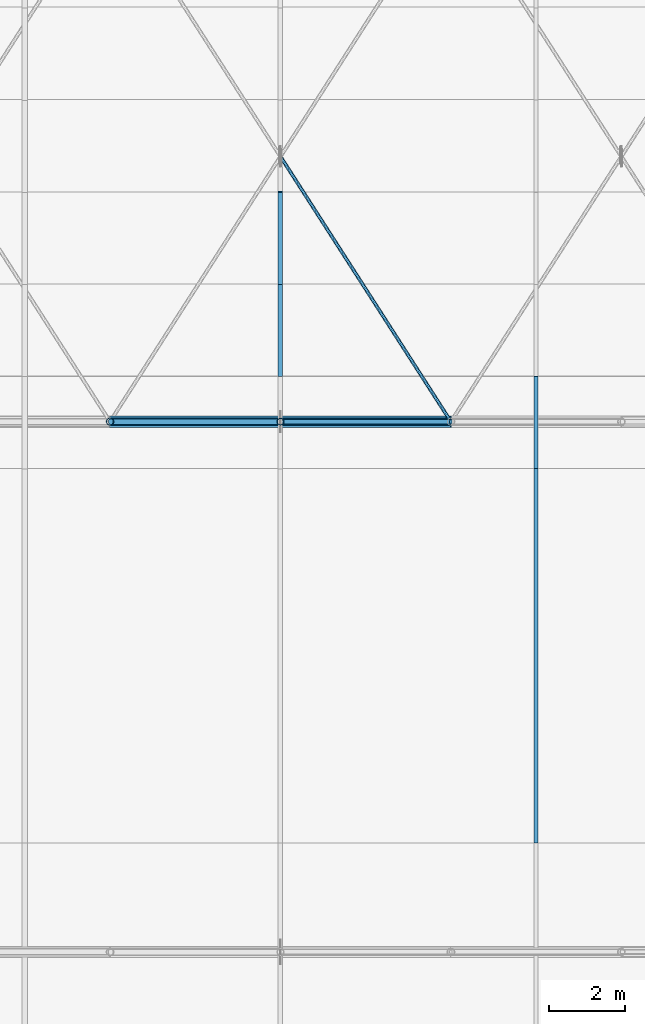
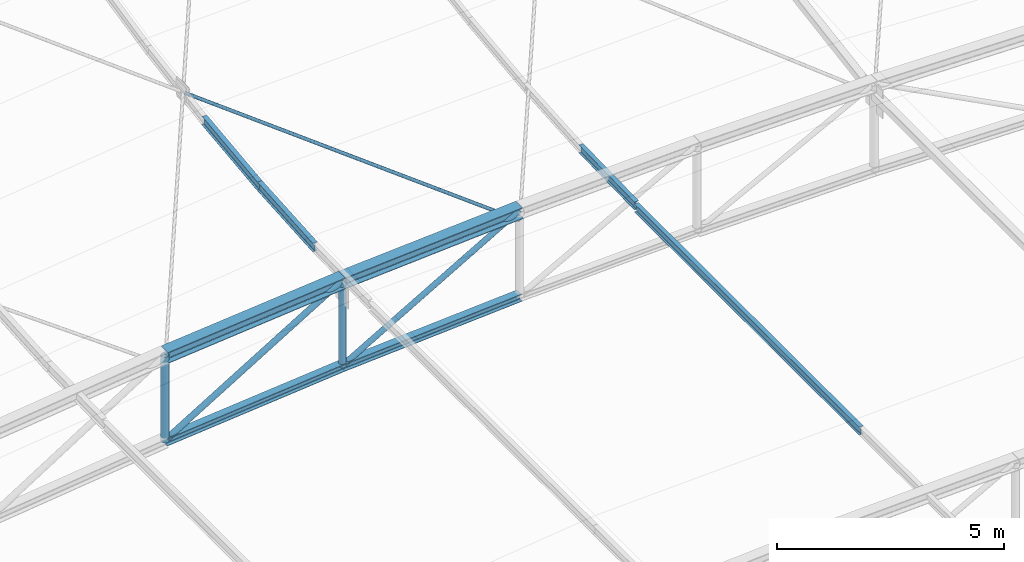
# One storey, part 173 of 262: 13 members.
"""IFC4 building model written with IfcOpenShell, lengths in metres."""

import ifcopenshell
import ifcopenshell.guid

model = None  # the IFC model being written
_history = None  # IfcOwnerHistory: only IFC2X3 demands one
_inside = {}  # id of a spatial element -> (the spatial element, [elements in it])
_under = {}  # id of a project, library or spatial element -> (it, [spatial elements below it])
_declared = {}  # id of a project -> (the project, [libraries it declares])
_typed = {}  # id of a type object -> (the type object, [elements of that type])
_made_of = {}  # id of a material, layer set ... -> (it, [elements and type objects made of it])


def new_model(schema):
    """Start an empty IFC model of exactly this schema.

    Asked for "IFC4X3", IfcOpenShell would pick the latest addendum, in which some entities
    have other attributes; the version numbers below select the first issue.
    IFC2X3 requires an IfcOwnerHistory on every rooted entity: one is made here for all.
    """
    global model, _history
    if schema == "IFC4X3":
        model = ifcopenshell.file(schema_version=(4, 3, 0, 0))
    else:
        model = ifcopenshell.file(schema=schema)
    _inside.clear()
    _under.clear()
    _declared.clear()
    _typed.clear()
    _made_of.clear()
    _history = None
    if model.schema == "IFC2X3":
        org = make("IfcOrganization", Name="unknown")
        user = make(
            "IfcPersonAndOrganization",
            ThePerson=make("IfcPerson", FamilyName="unknown"),
            TheOrganization=org,
        )
        app = make(
            "IfcApplication",
            ApplicationDeveloper=org,
            Version="unknown",
            ApplicationFullName="unknown",
            ApplicationIdentifier="unknown",
        )
        _history = make(
            "IfcOwnerHistory",
            OwningUser=user,
            OwningApplication=app,
            ChangeAction="ADDED",
            CreationDate=0,
        )
    return model


def make(cls, **values):
    """One entity of the class cls with the attributes given. An attribute that is None is left unset."""
    return model.create_entity(
        cls, **{name: value for name, value in values.items() if value is not None}
    )


def rooted(cls, **values):
    """An entity with a GlobalId (a new one), such as an element, a storey or a relation."""
    return make(cls, GlobalId=ifcopenshell.guid.new(), OwnerHistory=_history, **values)


def si_unit(unit_type, name, prefix=None):
    """IfcSIUnit, for example si_unit("LENGTHUNIT", "METRE", prefix="MILLI")."""
    return make("IfcSIUnit", UnitType=unit_type, Prefix=prefix, Name=name)


def derived_unit(unit_type, elements):
    """IfcDerivedUnit: a product of units, each with its exponent."""
    return make(
        "IfcDerivedUnit",
        Elements=[
            make("IfcDerivedUnitElement", Unit=unit, Exponent=power)
            for unit, power in elements
        ],
        UnitType=unit_type,
    )


def assignment(units):
    """IfcUnitAssignment: the units of a project."""
    return None if units is None else make("IfcUnitAssignment", Units=units)


def point(xyz):
    """IfcCartesianPoint."""
    return None if xyz is None else make("IfcCartesianPoint", Coordinates=xyz)


def direction(xyz):
    """IfcDirection."""
    return None if xyz is None else make("IfcDirection", DirectionRatios=xyz)


def frame(location, z_axis=None, x_axis=None):
    """IfcAxis2Placement3D, a coordinate frame: its origin and axes. An axis left out is left unset."""
    return make(
        "IfcAxis2Placement3D",
        Location=point(location),
        Axis=direction(z_axis),
        RefDirection=direction(x_axis),
    )


def frame_2d(location, x_axis=None):
    """IfcAxis2Placement2D, a coordinate frame in the plane: its origin and x axis."""
    return make(
        "IfcAxis2Placement2D", Location=point(location), RefDirection=direction(x_axis)
    )


def origin():
    """The frame at (0, 0, 0) with its axes left unset."""
    return frame((0.0, 0.0, 0.0))


def origin_2d():
    """The frame at (0, 0) in the plane with its x axis left unset."""
    return frame_2d((0.0, 0.0))


def place(relative_to, where):
    """IfcLocalPlacement: puts the frame where relative to a parent placement (None: the world)."""
    return make(
        "IfcLocalPlacement", PlacementRelTo=relative_to, RelativePlacement=where
    )


def context(
    kind, dimensions, precision=None, world=None, true_north=None, identifier=None
):
    """IfcGeometricRepresentationContext, for example the 3D "Model" context."""
    return make(
        "IfcGeometricRepresentationContext",
        ContextIdentifier=identifier,
        ContextType=kind,
        CoordinateSpaceDimension=dimensions,
        Precision=precision,
        WorldCoordinateSystem=world,
        TrueNorth=true_north,
    )


def subcontext(parent, identifier, kind, view, scale=None):
    """IfcGeometricRepresentationSubContext, for example "Body" below "Model"."""
    return make(
        "IfcGeometricRepresentationSubContext",
        ContextIdentifier=identifier,
        ContextType=kind,
        ParentContext=parent,
        TargetScale=scale,
        TargetView=view,
    )


def project(units=None, contexts=None):
    """IfcProject with its units and contexts."""
    return rooted(
        "IfcProject",
        Name="project",
        RepresentationContexts=contexts,
        UnitsInContext=assignment(units),
    )


def spatial(cls, under=None, at=None, **own):
    """A site, building, storey or space (cls), placed at a placement, below another one or the project."""
    s = rooted(cls, ObjectPlacement=at, **own)
    if under is not None:
        _under.setdefault(under.id(), (under, []))[1].append(s)
    return s


def profile(cls, at=None, kind="AREA", **sizes):
    """A parametric profile (cls). Its sizes go by their IFC names, for example OverallWidth=200.0."""
    return make(cls, ProfileType=kind, Position=at, **sizes)


def hollow_circle(**sizes):
    """IfcCircleHollowProfileDef."""
    return profile("IfcCircleHollowProfileDef", **sizes)


def i_section(**sizes):
    """IfcIShapeProfileDef."""
    return profile("IfcIShapeProfileDef", **sizes)


def extrude(swept, where, along, depth):
    """IfcExtrudedAreaSolid: the profile swept, set in the frame where, extruded along a direction by depth."""
    return make(
        "IfcExtrudedAreaSolid",
        SweptArea=swept,
        Position=where,
        ExtrudedDirection=direction(along),
        Depth=depth,
    )


def shape(context_of_items, identifier, shape_type, items):
    """IfcShapeRepresentation: the items that make up one representation, for example the "Body"."""
    return make(
        "IfcShapeRepresentation",
        ContextOfItems=context_of_items,
        RepresentationIdentifier=identifier,
        RepresentationType=shape_type,
        Items=items,
    )


def material(Name=None, Category=None):
    """IfcMaterial."""
    return make("IfcMaterial", Name=Name, Category=Category)


def material_profile(
    of_material, cross_section, Name=None, Category=None, Priority=None
):
    """IfcMaterialProfile: a cross section and its material."""
    return make(
        "IfcMaterialProfile",
        Name=Name,
        Material=of_material,
        Profile=cross_section,
        Priority=Priority,
        Category=Category,
    )


def profile_set(profiles, Name=None, composite=None):
    """IfcMaterialProfileSet."""
    return make(
        "IfcMaterialProfileSet",
        Name=Name,
        MaterialProfiles=profiles,
        CompositeProfile=composite,
    )


def made_of(thing, what):
    """Note that an element or type object is made of a material, layer set ...; save() writes the relation."""
    if what is not None:
        _made_of.setdefault(what.id(), (what, []))[1].append(thing)
    return thing


def type_object(cls, material=None, **own):
    """A type object (cls), such as IfcWallType, which elements share."""
    return made_of(rooted(cls, **own), material)


def element(
    cls,
    number,
    at=None,
    inside=None,
    cuts=None,
    type_object=None,
    material=None,
    context=None,
    identifier="Body",
    shape_type=None,
    held_by="IfcProductDefinitionShape",
    body=None,
    shapes=None,
    **own,
):
    """One element of the class cls, such as IfcWall. Its Tag is "e" and its number.

    at: its placement. inside: the storey or other place that contains it. cuts: it is an
    opening in that element (IfcRelVoidsElement). A single representation is given by context,
    identifier, shape_type and body (its items); several are given by shapes. held_by: the class
    of the entity that holds the representations. save() writes the other relations.
    """
    e = rooted(cls, Tag="e%d" % number, ObjectPlacement=at, **own)
    if body is not None:
        shapes = [shape(context, identifier, shape_type, body)]
    if shapes is not None:
        e.Representation = make(held_by, Representations=shapes)
    if inside is not None:
        _inside.setdefault(inside.id(), (inside, []))[1].append(e)
    if cuts is not None:
        rooted(
            "IfcRelVoidsElement", RelatingBuildingElement=cuts, RelatedOpeningElement=e
        )
    if type_object is not None:
        _typed.setdefault(type_object.id(), (type_object, []))[1].append(e)
    return made_of(e, material)


def aggregate(whole, parts):
    """IfcRelAggregates: a whole, such as a stair, and the parts it consists of."""
    return rooted("IfcRelAggregates", RelatingObject=whole, RelatedObjects=parts)


def save(model, path):
    """Write the relations noted so far, then the file.

    IfcRelAggregates (storeys below a building ...), IfcRelContainedInSpatialStructure (elements
    in a storey), IfcRelDefinesByType, IfcRelAssociatesMaterial and IfcRelDeclares: one each for
    every whole, place, type object, material and project.
    """
    for whole, parts in _under.values():
        aggregate(whole, parts)
    for where, things in _inside.values():
        rooted(
            "IfcRelContainedInSpatialStructure",
            RelatedElements=things,
            RelatingStructure=where,
        )
    for kind, things in _typed.values():
        rooted("IfcRelDefinesByType", RelatedObjects=things, RelatingType=kind)
    for what, things in _made_of.values():
        rooted("IfcRelAssociatesMaterial", RelatedObjects=things, RelatingMaterial=what)
    for by, libraries in _declared.values():
        rooted("IfcRelDeclares", RelatingContext=by, RelatedDefinitions=libraries)
    model.write(path)


model = new_model("IFC4")

# Units and contexts
model_context = context("Model", 3, precision=1e-05, world=origin(), true_north=direction((0.0, 1.0)))
body_context = subcontext(model_context, "Body", "Model", "MODEL_VIEW")
ifc_project = project(units=[si_unit("LENGTHUNIT", "METRE"), si_unit("AREAUNIT", "SQUARE_METRE"), si_unit("VOLUMEUNIT", "CUBIC_METRE"), si_unit("PLANEANGLEUNIT", "RADIAN"), si_unit("MASSUNIT", "GRAM", prefix="KILO"), derived_unit("THERMALTRANSMITTANCEUNIT", [(si_unit("POWERUNIT", "WATT"), 1), (si_unit("LENGTHUNIT", "METRE"), -2), (si_unit("THERMODYNAMICTEMPERATUREUNIT", "KELVIN"), -1)])], contexts=[model_context])

# Site, building, storey
site_placement = place(None, origin())
site = spatial("IfcSite", under=ifc_project, at=site_placement, CompositionType="ELEMENT")
building_placement = place(site_placement, origin())
building = spatial("IfcBuilding", under=site, at=building_placement, Name="Almenara Railside Exhibition Hall", CompositionType="ELEMENT")
storey_placement = place(building_placement, frame((0.0, 0.0, 21.699951171875)))
storey = spatial("IfcBuildingStorey", under=building, at=storey_placement, Name="RF", CompositionType="ELEMENT", Elevation=21.699951171875)

# Members
ifc_material = material(Name="Structural steel S355JR", Category="steel")
ifc_material_profile_1 = material_profile(ifc_material, i_section(OverallWidth=0.300048828125, OverallDepth=0.300048828125, WebThickness=0.010986328125, FlangeThickness=0.01904296875, FilletRadius=0.027099609375, at=origin_2d()), Name="HEB 300")
ifc_profile_set_1 = profile_set([ifc_material_profile_1], Name="Structural steel S355JR")
member_type_1 = type_object("IfcMemberType", Name="Arched Inner Top Chord HEB 300 S355JR", PredefinedType="CHORD", material=ifc_profile_set_1)
member_1_placement = place(storey_placement, frame((147.0, 104.0, -6.06298828125), z_axis=(0.995512933083, 0.0, 0.094625578275), x_axis=(0.0, 1.0, 0.0)))
element("IfcMember", 1, at=member_1_placement, inside=storey, type_object=member_type_1, Name="MEM-TC-V2-05-02", PredefinedType="CHORD", context=body_context, shape_type="SweptSolid", body=[
    extrude(i_section(OverallWidth=0.300048828125, OverallDepth=0.300048828125, WebThickness=0.010986328125, FlangeThickness=0.01904296875, FilletRadius=0.027099609375, at=origin_2d()), origin(), (0.0, 0.0, 1.0), 4.520263671875),
])
member_2_placement = place(storey_placement, frame((151.5, 104.0, -5.63525390625), z_axis=(0.997701025897, 0.0, 0.067769188608), x_axis=(0.0, 1.0, 0.0)))
element("IfcMember", 2, at=member_2_placement, inside=storey, type_object=member_type_1, Name="MEM-TC-V2-05-03", PredefinedType="CHORD", context=body_context, shape_type="SweptSolid", body=[
    extrude(i_section(OverallWidth=0.300048828125, OverallDepth=0.300048828125, WebThickness=0.010986328125, FlangeThickness=0.01904296875, FilletRadius=0.027099609375, at=origin_2d()), origin(), (0.0, 0.0, 1.0), 4.51025390625),
])
ifc_material_profile_2 = material_profile(ifc_material, i_section(OverallWidth=0.199951171875, OverallDepth=0.199951171875, WebThickness=0.009033203125, FlangeThickness=0.014892578125, FilletRadius=0.01806640625, at=origin_2d()), Name="HEB 200")
ifc_profile_set_2 = profile_set([ifc_material_profile_2], Name="Structural steel S355JR")
member_type_2 = type_object("IfcMemberType", Name="Canopy Collar Chord HEB 200 S355JR", PredefinedType="CHORD", material=ifc_profile_set_2)
member_3_placement = place(storey_placement, frame((147.0, 104.0, -8.363037109375), z_axis=(0.995507843872, 0.0, 0.094679104292), x_axis=(0.0, 1.0, 0.0)))
element("IfcMember", 3, at=member_3_placement, inside=storey, type_object=member_type_2, Name="MEM-BC-V2-05-02", PredefinedType="CHORD", context=body_context, shape_type="SweptSolid", body=[
    extrude(i_section(OverallWidth=0.199951171875, OverallDepth=0.199951171875, WebThickness=0.009033203125, FlangeThickness=0.014892578125, FilletRadius=0.01806640625, at=origin_2d()), origin(), (0.0, 0.0, 1.0), 4.520263671875),
])
member_4_placement = place(storey_placement, frame((151.5, 104.0, -7.93505859375), z_axis=(0.997704684283, 0.0, 0.067715308162), x_axis=(0.0, 1.0, 0.0)))
element("IfcMember", 4, at=member_4_placement, inside=storey, type_object=member_type_2, Name="MEM-BC-V2-05-03", PredefinedType="CHORD", context=body_context, shape_type="SweptSolid", body=[
    extrude(i_section(OverallWidth=0.199951171875, OverallDepth=0.199951171875, WebThickness=0.009033203125, FlangeThickness=0.014892578125, FilletRadius=0.01806640625, at=origin_2d()), origin(), (0.0, 0.0, 1.0), 4.51025390625),
])
ifc_material_profile_3 = material_profile(ifc_material, hollow_circle(Radius=0.04443359375, WallThickness=0.00390625, at=origin_2d()), Name="CHS 88.9x4")
ifc_profile_set_3 = profile_set([ifc_material_profile_3], Name="Structural steel S355JR")
member_type_3 = type_object("IfcMemberType", Name="Canopy Tie Brace CHS 88.9x4 S355JR", PredefinedType="BRACE", material=ifc_profile_set_3)
member_5_placement = place(storey_placement, frame((156.0, 104.0, -5.609619140625), z_axis=(-0.538465539227, 0.837626120667, 0.091855021862), x_axis=(-0.841182310454, -0.54075162559, 0.0)))
element("IfcMember", 5, at=member_5_placement, inside=storey, type_object=member_type_3, Name="MEM-WB-V2-WB-CHS89-05-02-S1", PredefinedType="BRACE", context=body_context, shape_type="SweptSolid", body=[
    extrude(hollow_circle(Radius=0.04443359375, WallThickness=0.00390625, at=origin_2d()), origin(), (0.0, 0.0, 1.0), 8.30859375),
])
ifc_material_profile_4 = material_profile(ifc_material, i_section(OverallWidth=0.110107421875, OverallDepth=0.219970703125, WebThickness=0.005859375, FlangeThickness=0.00927734375, FilletRadius=0.011962890625, at=origin_2d()), Name="IPE 220")
ifc_profile_set_4 = profile_set([ifc_material_profile_4], Name="Structural steel S355JR")
member_type_4 = type_object("IfcMemberType", Name="Heavy Hall Roof Purlin IPE 220 S355JR", PredefinedType="PURLIN", material=ifc_profile_set_4)
member_6_placement = place(storey_placement, frame((158.25, 92.8798828125, -5.294677734375), z_axis=(0.0, 1.0, 0.0), x_axis=(-1.0, 0.0, 0.0)))
element("IfcMember", 6, at=member_6_placement, inside=storey, type_object=member_type_4, Name="MEM-PR-V2-PR-IPE220-03-15", PredefinedType="PURLIN", context=body_context, shape_type="SweptSolid", body=[
    extrude(i_section(OverallWidth=0.110107421875, OverallDepth=0.219970703125, WebThickness=0.005859375, FlangeThickness=0.00927734375, FilletRadius=0.011962890625, at=origin_2d()), origin(), (0.0, 0.0, 1.0), 9.879638671875),
])
member_7_placement = place(storey_placement, frame((158.25, 102.759521484375, -5.244873046875), z_axis=(0.0, 0.999725289903, 0.023438104182), x_axis=(-1.0, 0.0, 0.0)))
element("IfcMember", 7, at=member_7_placement, inside=storey, type_object=member_type_4, Name="MEM-PR-V2-PR-IPE220-03-16", PredefinedType="PURLIN", context=body_context, shape_type="SweptSolid", body=[
    extrude(i_section(OverallWidth=0.110107421875, OverallDepth=0.219970703125, WebThickness=0.005859375, FlangeThickness=0.00927734375, FilletRadius=0.011962890625, at=origin_2d()), origin(), (0.0, 0.0, 1.0), 2.4375),
])
ifc_material_profile_5 = material_profile(ifc_material, i_section(OverallWidth=0.1201171875, OverallDepth=0.239990234375, WebThickness=0.006103515625, FlangeThickness=0.009765625, FilletRadius=0.014892578125, at=origin_2d()), Name="IPE 240")
ifc_profile_set_5 = profile_set([ifc_material_profile_5], Name="Structural steel S355JR")
member_type_5 = type_object("IfcMemberType", Name="Scroll Roof Purlin IPE 240 S355JR", PredefinedType="PURLIN", material=ifc_profile_set_5)
member_8_placement = place(storey_placement, frame((151.5, 105.1962890625, -5.4755859375), z_axis=(0.0, 0.997528729247, 0.070259763216), x_axis=(-1.0, 0.0, 0.0)))
element("IfcMember", 8, at=member_8_placement, inside=storey, type_object=member_type_5, Name="MEM-PR-V2-PR-IPE240-02-17", PredefinedType="PURLIN", context=body_context, shape_type="SweptSolid", body=[
    extrude(i_section(OverallWidth=0.1201171875, OverallDepth=0.239990234375, WebThickness=0.006103515625, FlangeThickness=0.009765625, FilletRadius=0.014892578125, at=origin_2d()), origin(), (0.0, 0.0, 1.0), 2.44287109375),
])
member_9_placement = place(storey_placement, frame((151.5, 107.633056640625, -5.305419921875), z_axis=(0.0, 0.993105700961, 0.117222296166), x_axis=(-1.0, 0.0, 0.0)))
element("IfcMember", 9, at=member_9_placement, inside=storey, type_object=member_type_5, Name="MEM-PR-V2-PR-IPE240-02-18", PredefinedType="PURLIN", context=body_context, shape_type="SweptSolid", body=[
    extrude(i_section(OverallWidth=0.1201171875, OverallDepth=0.239990234375, WebThickness=0.006103515625, FlangeThickness=0.009765625, FilletRadius=0.014892578125, at=origin_2d()), origin(), (0.0, 0.0, 1.0), 2.453369140625),
])
ifc_material_profile_6 = material_profile(ifc_material, hollow_circle(Radius=0.06982421875, WallThickness=0.0048828125, at=origin_2d()), Name="CHS 139.7x5")
ifc_profile_set_6 = profile_set([ifc_material_profile_6], Name="Structural steel S355JR")
member_type_6 = type_object("IfcMemberType", Name="Truss Inner Diagonal CHS 139.7x5 S355JR", PredefinedType="BRACE", material=ifc_profile_set_6)
member_10_placement = place(storey_placement, frame((151.5, 104.0, -7.93505859375), z_axis=(0.865409140876, 0.0, 0.501065882782), x_axis=(0.0, 1.0, 0.0)))
element("IfcMember", 10, at=member_10_placement, inside=storey, type_object=member_type_6, Name="MEM-TD-V2-05-03", PredefinedType="BRACE", context=body_context, shape_type="SweptSolid", body=[
    extrude(hollow_circle(Radius=0.06982421875, WallThickness=0.0048828125, at=origin_2d()), origin(), (0.0, 0.0, 1.0), 5.199951171875),
])
ifc_material_profile_7 = material_profile(ifc_material, hollow_circle(Radius=0.076171875, WallThickness=0.0048828125, at=origin_2d()), Name="CHS 152.4x5")
ifc_profile_set_7 = profile_set([ifc_material_profile_7], Name="Structural steel S355JR")
member_type_7 = type_object("IfcMemberType", Name="Truss Mid Diagonal CHS 152.4x5 S355JR", PredefinedType="BRACE", material=ifc_profile_set_7)
member_11_placement = place(storey_placement, frame((147.0, 104.0, -8.363037109375), z_axis=(0.855154829777, 0.0, 0.518372662386), x_axis=(0.0, 1.0, 0.0)))
element("IfcMember", 11, at=member_11_placement, inside=storey, type_object=member_type_7, Name="MEM-TD-V2-05-02", PredefinedType="BRACE", context=body_context, shape_type="SweptSolid", body=[
    extrude(hollow_circle(Radius=0.076171875, WallThickness=0.0048828125, at=origin_2d()), origin(), (0.0, 0.0, 1.0), 5.26220703125),
])
ifc_material_profile_8 = material_profile(ifc_material, hollow_circle(Radius=0.0888671875, WallThickness=0.006103515625, at=origin_2d()), Name="CHS 177.8x6")
ifc_profile_set_8 = profile_set([ifc_material_profile_8], Name="Structural steel S355JR")
member_type_8 = type_object("IfcMemberType", Name="Truss Quarter Vertical Strut CHS 177.8x6 S355JR", PredefinedType="BRACE", material=ifc_profile_set_8)
member_12_placement = place(storey_placement, frame((151.5, 104.0, -7.93505859375), z_axis=(0.0, 0.0, 1.0), x_axis=(1.0, 0.0, 0.0)))
element("IfcMember", 12, at=member_12_placement, inside=storey, type_object=member_type_8, Name="MEM-TV-V2-05-03", PredefinedType="BRACE", context=body_context, shape_type="SweptSolid", body=[
    extrude(hollow_circle(Radius=0.0888671875, WallThickness=0.006103515625, at=origin_2d()), origin(), (0.0, 0.0, 1.0), 2.2998046875),
])
ifc_material_profile_9 = material_profile(ifc_material, hollow_circle(Radius=0.096923828125, WallThickness=0.00634765625, at=origin_2d()), Name="CHS 193.7x6.3")
ifc_profile_set_9 = profile_set([ifc_material_profile_9], Name="Structural steel S355JR")
member_type_9 = type_object("IfcMemberType", Name="Truss Standard Vertical Strut CHS 193.7x6.3 S355JR", PredefinedType="BRACE", material=ifc_profile_set_9)
member_13_placement = place(storey_placement, frame((147.0, 104.0, -8.363037109375), z_axis=(0.0, 0.0, 1.0), x_axis=(1.0, 0.0, 0.0)))
element("IfcMember", 13, at=member_13_placement, inside=storey, type_object=member_type_9, Name="MEM-TV-V2-05-02", PredefinedType="BRACE", context=body_context, shape_type="SweptSolid", body=[
    extrude(hollow_circle(Radius=0.096923828125, WallThickness=0.00634765625, at=origin_2d()), origin(), (0.0, 0.0, 1.0), 2.300048828125),
])

save(model, "model.ifc")
